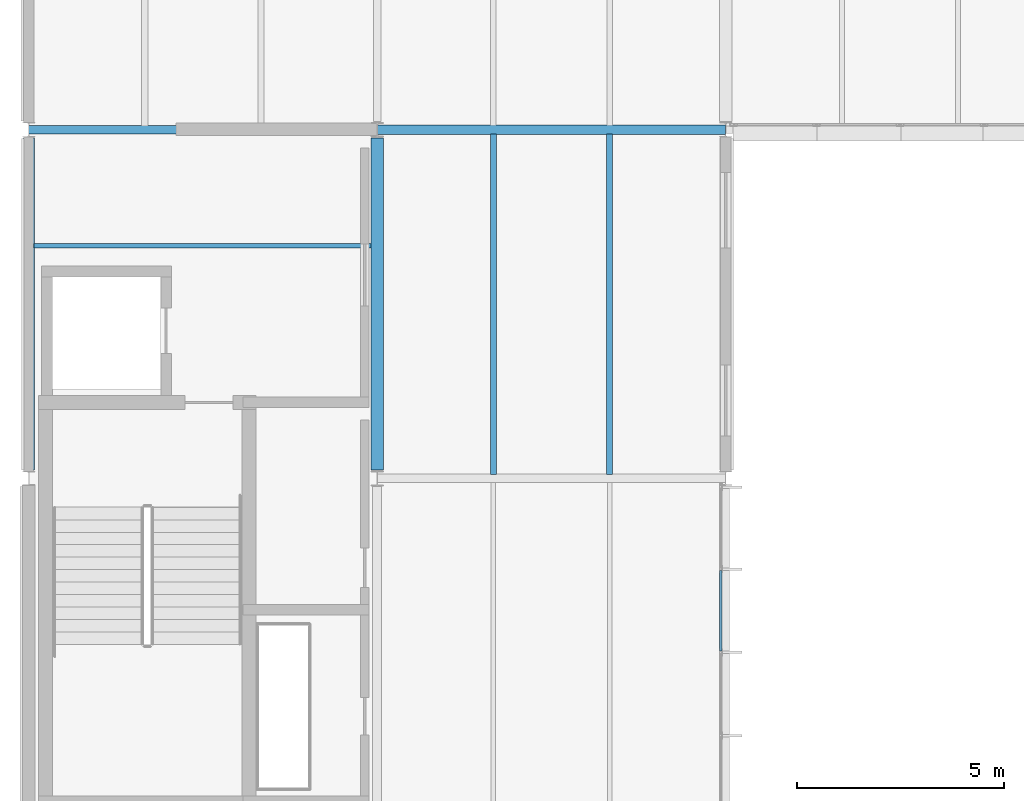
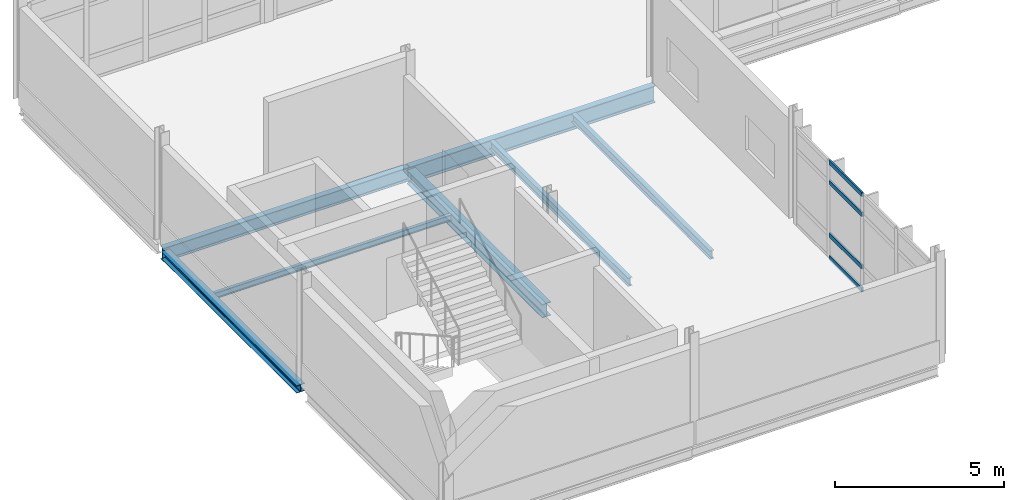
# One storey, part 36 of 131: 7 beams, 4 members, 1 element without a shape of its own.
"""IFC4 building model written with IfcOpenShell, lengths in metres."""

from ifc_helpers import new_model, si_unit, direction, frame, origin, origin_2d, place, context, subcontext, project, spatial, hollow_rectangle, i_section, extrude, material, material_profile, profile_set, type_object, element, aggregate, save


model = new_model("IFC4")

# Units and contexts
model_context = context("Model", 3, precision=1e-05, world=origin(), true_north=direction((0.0, 1.0)))
body_context = subcontext(model_context, "Body", "Model", "MODEL_VIEW")
ifc_project = project(units=[si_unit("LENGTHUNIT", "METRE"), si_unit("AREAUNIT", "SQUARE_METRE"), si_unit("VOLUMEUNIT", "CUBIC_METRE"), si_unit("PLANEANGLEUNIT", "RADIAN"), si_unit("MASSUNIT", "GRAM", prefix="KILO")], contexts=[model_context])

# Site, building, storey
site_placement = place(None, origin())
site = spatial("IfcSite", under=ifc_project, at=site_placement, CompositionType="ELEMENT")
building_placement = place(site_placement, origin())
building = spatial("IfcBuilding", under=site, at=building_placement, Name="Mersafa Astral City Hall", CompositionType="ELEMENT")
storey_placement = place(building_placement, frame((0.0, 0.0, 13.949951171875)))
storey = spatial("IfcBuildingStorey", under=building, at=storey_placement, Name="L03", CompositionType="ELEMENT", Elevation=13.949951171875)

# Curtain wall, members
ifc_material_1 = material(Name="Anodised bronze aluminium framing", Category="aluminium")
curtain_wall_type = type_object("IfcCurtainWallType", Name="ENV-CW-1", PredefinedType="USERDEFINED", material=ifc_material_1)
curtain_wall_placement = place(storey_placement, origin())
curtain_wall = element("IfcCurtainWall", 1, at=curtain_wall_placement, inside=storey, type_object=curtain_wall_type, Name="L03 Unitised solar curtain wall 174", ObjectType="UNITISED CURTAIN WALL", PredefinedType="USERDEFINED")
ifc_material_profile_1 = material_profile(ifc_material_1, hollow_rectangle(XDim=0.06005859375, YDim=0.159912109375, WallThickness=0.00390625, at=origin_2d()), Name="RHS 60x160x4")
ifc_profile_set_1 = profile_set([ifc_material_profile_1], Name="Anodised bronze aluminium framing")
member_type = type_object("IfcMemberType", Name="ENV-CW-TRN-2", PredefinedType="USERDEFINED", material=ifc_profile_set_1)
member_1_placement = place(storey_placement, frame((25.080078125, 79.8349609375, 0.028076171875), z_axis=(0.0, 1.0, 0.0), x_axis=(-1.0, 0.0, 0.0)))
member_1 = element("IfcMember", 2, at=member_1_placement, type_object=member_type, Name="CW-1 transom 3.1", ObjectType="TRANSOM", PredefinedType="USERDEFINED", context=body_context, shape_type="SweptSolid", body=[
    extrude(hollow_rectangle(XDim=0.06005859375, YDim=0.159912109375, WallThickness=0.00390625, at=origin_2d()), origin(), (0.0, 0.0, 1.0), 1.946533203125),
])
member_2_placement = place(storey_placement, frame((25.080078125, 79.8349609375, 0.85009765625), z_axis=(0.0, 1.0, 0.0), x_axis=(-1.0, 0.0, 0.0)))
member_2 = element("IfcMember", 3, at=member_2_placement, type_object=member_type, Name="CW-1 transom 3.2", ObjectType="TRANSOM", PredefinedType="USERDEFINED", context=body_context, shape_type="SweptSolid", body=[
    extrude(hollow_rectangle(XDim=0.06005859375, YDim=0.159912109375, WallThickness=0.00390625, at=origin_2d()), origin(), (0.0, 0.0, 1.0), 1.946533203125),
])
member_3_placement = place(storey_placement, frame((25.080078125, 79.8349609375, 2.75), z_axis=(0.0, 1.0, 0.0), x_axis=(-1.0, 0.0, 0.0)))
member_3 = element("IfcMember", 4, at=member_3_placement, type_object=member_type, Name="CW-1 transom 3.3", ObjectType="TRANSOM", PredefinedType="USERDEFINED", context=body_context, shape_type="SweptSolid", body=[
    extrude(hollow_rectangle(XDim=0.06005859375, YDim=0.159912109375, WallThickness=0.00390625, at=origin_2d()), origin(), (0.0, 0.0, 1.0), 1.946533203125),
])
member_4_placement = place(storey_placement, frame((25.080078125, 79.8349609375, 3.47216796875), z_axis=(0.0, 1.0, 0.0), x_axis=(-1.0, 0.0, 0.0)))
member_4 = element("IfcMember", 5, at=member_4_placement, type_object=member_type, Name="CW-1 transom 3.4", ObjectType="TRANSOM", PredefinedType="USERDEFINED", context=body_context, shape_type="SweptSolid", body=[
    extrude(hollow_rectangle(XDim=0.06005859375, YDim=0.159912109375, WallThickness=0.00390625, at=origin_2d()), origin(), (0.0, 0.0, 1.0), 1.946533203125),
])
aggregate(curtain_wall, [member_1, member_2, member_3, member_4])

# Beams
ifc_material_2 = material(Name="Steel S355", Category="steel")
ifc_material_profile_2 = material_profile(ifc_material_2, i_section(OverallWidth=0.300048828125, OverallDepth=0.489990234375, WebThickness=0.011962890625, FlangeThickness=0.02294921875, FilletRadius=0.027099609375, at=origin_2d()), Name="HEA 500")
ifc_profile_set_2 = profile_set([ifc_material_profile_2], Name="Steel S355")
beam_type_1 = type_object("IfcBeamType", Name="STR-BM-HEA500", PredefinedType="BEAM", material=ifc_profile_set_2)
beam_1_placement = place(storey_placement, frame((16.800048828125, 84.195068359375, -0.445068359375), z_axis=(0.0, 1.0, 0.0), x_axis=(-1.0, 0.0, 0.0)))
element("IfcBeam", 6, at=beam_1_placement, inside=storey, type_object=beam_type_1, Name="L03 Primary girder Y 2-10", PredefinedType="BEAM", context=body_context, shape_type="SweptSolid", body=[
    extrude(i_section(OverallWidth=0.300048828125, OverallDepth=0.489990234375, WebThickness=0.011962890625, FlangeThickness=0.02294921875, FilletRadius=0.027099609375, at=origin_2d()), origin(), (0.0, 0.0, 1.0), 8.010009765625),
])
ifc_material_profile_3 = material_profile(ifc_material_2, i_section(OverallWidth=0.199951171875, OverallDepth=0.5, WebThickness=0.01025390625, FlangeThickness=0.01611328125, FilletRadius=0.02099609375, at=origin_2d()), Name="IPE 500")
ifc_profile_set_3 = profile_set([ifc_material_profile_3], Name="Steel S355")
beam_type_2 = type_object("IfcBeamType", Name="STR-BM-IPE500", PredefinedType="BEAM", material=ifc_profile_set_3)
beam_2_placement = place(storey_placement, frame((8.403076171875, 92.39990234375, -0.449951171875), z_axis=(1.0, 0.0, 0.0), x_axis=(0.0, 1.0, 0.0)))
element("IfcBeam", 7, at=beam_2_placement, inside=storey, type_object=beam_type_2, Name="L03 Primary girder X 1-11", PredefinedType="BEAM", context=body_context, shape_type="SweptSolid", body=[
    extrude(i_section(OverallWidth=0.199951171875, OverallDepth=0.5, WebThickness=0.01025390625, FlangeThickness=0.01611328125, FilletRadius=0.02099609375, at=origin_2d()), origin(), (0.0, 0.0, 1.0), 8.39404296875),
])
ifc_material_profile_4 = material_profile(ifc_material_2, i_section(OverallWidth=0.219970703125, OverallDepth=0.60009765625, WebThickness=0.011962890625, FlangeThickness=0.01904296875, FilletRadius=0.02392578125, at=origin_2d()), Name="IPE 600")
ifc_profile_set_4 = profile_set([ifc_material_profile_4], Name="Steel S355")
beam_type_3 = type_object("IfcBeamType", Name="STR-BM-IPE600", PredefinedType="BEAM", material=ifc_profile_set_4)
beam_3_placement = place(storey_placement, frame((16.802978515625, 92.39990234375, -0.5), z_axis=(1.0, 0.0, 0.0), x_axis=(0.0, 1.0, 0.0)))
element("IfcBeam", 8, at=beam_3_placement, inside=storey, type_object=beam_type_3, Name="L03 Primary girder X 2-11", PredefinedType="BEAM", context=body_context, shape_type="SweptSolid", body=[
    extrude(i_section(OverallWidth=0.219970703125, OverallDepth=0.60009765625, WebThickness=0.011962890625, FlangeThickness=0.01904296875, FilletRadius=0.02392578125, at=origin_2d()), origin(), (0.0, 0.0, 1.0), 8.39404296875),
])
ifc_material_profile_5 = material_profile(ifc_material_2, i_section(OverallWidth=0.110107421875, OverallDepth=0.219970703125, WebThickness=0.005859375, FlangeThickness=0.00927734375, FilletRadius=0.011962890625, at=origin_2d()), Name="IPE 220")
ifc_profile_set_5 = profile_set([ifc_material_profile_5], Name="Steel S355")
beam_type_4 = type_object("IfcBeamType", Name="STR-BM-JOIST-IPE220", PredefinedType="JOIST", material=ifc_profile_set_5)
beam_4_placement = place(storey_placement, frame((8.534912109375, 89.60009765625, -0.31005859375), z_axis=(1.0, 0.0, 0.0), x_axis=(0.0, 1.0, 0.0)))
element("IfcBeam", 9, at=beam_4_placement, inside=storey, type_object=beam_type_4, Name="L03 Composite secondary floor joist 553", PredefinedType="JOIST", context=body_context, shape_type="SweptSolid", body=[
    extrude(i_section(OverallWidth=0.110107421875, OverallDepth=0.219970703125, WebThickness=0.005859375, FlangeThickness=0.00927734375, FilletRadius=0.011962890625, at=origin_2d()), origin(), (0.0, 0.0, 1.0), 8.1201171875),
])
ifc_material_profile_6 = material_profile(ifc_material_2, i_section(OverallWidth=0.14990234375, OverallDepth=0.300048828125, WebThickness=0.007080078125, FlangeThickness=0.0107421875, FilletRadius=0.014892578125, at=origin_2d()), Name="IPE 300")
ifc_profile_set_6 = profile_set([ifc_material_profile_6], Name="Steel S355")
beam_type_5 = type_object("IfcBeamType", Name="STR-BM-JOIST-IPE300", PredefinedType="JOIST", material=ifc_profile_set_6)
for number, where, z_axis, x_axis, name in (
    (10, (19.60009765625, 84.094970703125, -0.349853515625), (0.0, 1.0, 0.0), (-1.0, 0.0, 0.0), "L03 Composite secondary floor joist 558"),
    (11, (22.39990234375, 84.094970703125, -0.349853515625), (0.0, 1.0, 0.0), (-1.0, 0.0, 0.0), "L03 Composite secondary floor joist 559"),
):
    element("IfcBeam", number, at=place(storey_placement, frame(where, z_axis=z_axis, x_axis=x_axis)), inside=storey, type_object=beam_type_5, Name=name, PredefinedType="JOIST", context=body_context, shape_type="SweptSolid", body=[
        extrude(i_section(OverallWidth=0.14990234375, OverallDepth=0.300048828125, WebThickness=0.007080078125, FlangeThickness=0.0107421875, FilletRadius=0.014892578125, at=origin_2d()), origin(), (0.0, 0.0, 1.0), 8.199951171875),
    ])
ifc_material_profile_7 = material_profile(ifc_material_2, i_section(OverallWidth=0.280029296875, OverallDepth=0.27001953125, WebThickness=0.008056640625, FlangeThickness=0.012939453125, FilletRadius=0.02392578125, at=origin_2d()), Name="HEA 280")
ifc_profile_set_7 = profile_set([ifc_material_profile_7], Name="Steel S355")
beam_type_6 = type_object("IfcBeamType", Name="STR-BM-SPANDREL-HEA280", PredefinedType="SPANDREL", material=ifc_profile_set_7)
beam_5_placement = place(storey_placement, frame((8.39990234375, 84.195068359375, -0.3349609375), z_axis=(0.0, 1.0, 0.0), x_axis=(-1.0, 0.0, 0.0)))
element("IfcBeam", 12, at=beam_5_placement, inside=storey, type_object=beam_type_6, Name="L03 Primary girder Y 1-10", PredefinedType="SPANDREL", context=body_context, shape_type="SweptSolid", body=[
    extrude(i_section(OverallWidth=0.280029296875, OverallDepth=0.27001953125, WebThickness=0.008056640625, FlangeThickness=0.012939453125, FilletRadius=0.02392578125, at=origin_2d()), origin(), (0.0, 0.0, 1.0), 8.010009765625),
])

save(model, "model.ifc")
